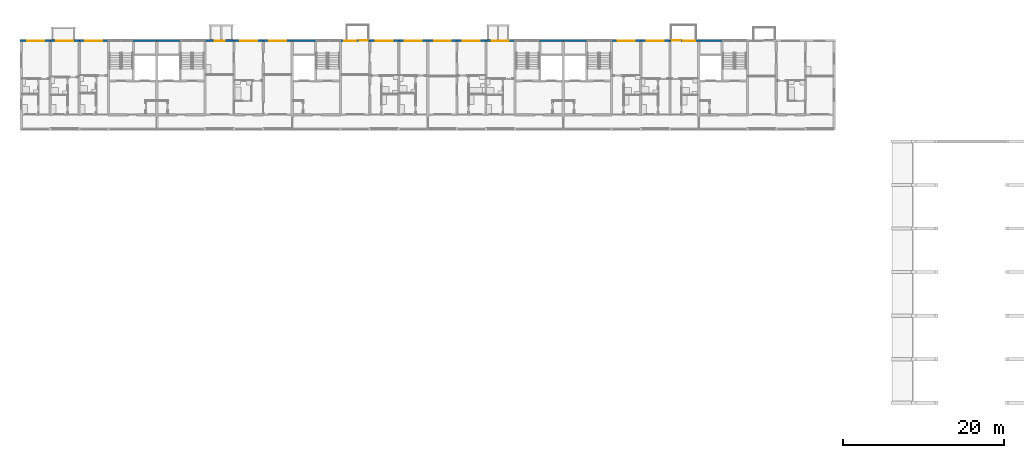
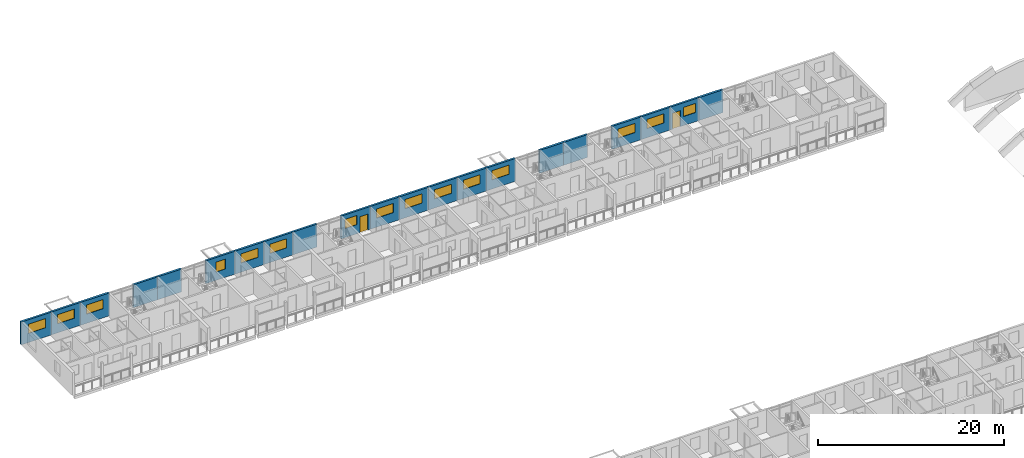
# One storey, part 42 of 99: 21 walls, 15 windows, 2 doors, 17 openings.
"""IFC4 building model written with IfcOpenShell, lengths in metres."""

from ifc_helpers import new_model, si_unit, direction, frame, frame_2d, origin, place, context, subcontext, project, spatial, rectangle, extrude, material, layer, layer_set, type_object, element, fill, save


model = new_model("IFC4")

# Units and contexts
model_context = context("Model", 3, precision=1e-05, world=origin(), true_north=direction((0.0, 1.0)))
body_context = subcontext(model_context, "Body", "Model", "MODEL_VIEW")
ifc_project = project(units=[si_unit("LENGTHUNIT", "METRE"), si_unit("AREAUNIT", "SQUARE_METRE"), si_unit("VOLUMEUNIT", "CUBIC_METRE"), si_unit("PLANEANGLEUNIT", "RADIAN"), si_unit("MASSUNIT", "GRAM", prefix="KILO")], contexts=[model_context])

# Site, building, storey
site_placement = place(None, origin())
site = spatial("IfcSite", under=ifc_project, at=site_placement, CompositionType="ELEMENT")
building_placement = place(site_placement, origin())
building = spatial("IfcBuilding", under=site, at=building_placement, Name="Ridgestep Commons", CompositionType="ELEMENT")
storey_placement = place(building_placement, frame((0.0, 0.0, 15.0)))
storey = spatial("IfcBuildingStorey", under=building, at=storey_placement, Name="L05", CompositionType="ELEMENT", Elevation=15.0)

# Wall, opening, window
ifc_material_1 = material(Name="Precast concrete C40/50", Category="concrete")
ifc_layer = layer(ifc_material_1, 0.25)
ifc_layer_set = layer_set([ifc_layer], Name="North facade panel 250")
wall_type = type_object("IfcWallType", Name="North facade panel 250", PredefinedType="SOLIDWALL", material=ifc_layer_set)
wall_1_placement = place(storey_placement, frame((11.85009765625, 77.125, 0.0), z_axis=(0.0, 0.0, 1.0), x_axis=(1.0, 0.0, 0.0)))
wall_1 = element("IfcWall", 1, at=wall_1_placement, inside=storey, type_object=wall_type, Name="North panel B1T1 L05", PredefinedType="SOLIDWALL", context=body_context, shape_type="SweptSolid", body=[
    extrude(rectangle(XDim=3.75, YDim=0.25, at=frame_2d((1.875, 0.0))), origin(), (0.0, 0.0, 1.0), 3.0),
])
opening_1_placement = place(wall_1_placement, frame((0.925048828125, 0.0, 1.199951171875)))
opening_1 = element("IfcOpeningElement", 2, at=opening_1_placement, cuts=wall_1, Name="Opening W22", PredefinedType="OPENING", context=body_context, shape_type="SweptSolid", body=[
    extrude(rectangle(XDim=2.10009765625, YDim=1.199951171875, at=frame_2d((1.050048828125, 0.60009765625))), frame((0.0, 0.135009765625, 0.0), z_axis=(0.0, -1.0, 0.0), x_axis=(1.0, 0.0, 0.0)), (0.0, 0.0, 1.0), 0.27001953125),
])
ifc_material_2 = material(Name="Aluminium 6063-T6 and glass", Category="aluminium")
window_type_1 = type_object("IfcWindowType", Name="Flat window 2100 x 1200", PartitioningType="DOUBLE_PANEL_VERTICAL", PredefinedType="WINDOW", material=ifc_material_2)
window_1_placement = place(opening_1_placement, origin())
window_1 = element("IfcWindow", 3, at=window_1_placement, inside=storey, type_object=window_type_1, Name="Window B1-05a 2", OverallHeight=1.199951171875, OverallWidth=2.10009765625, PartitioningType="SINGLE_PANEL", PredefinedType="WINDOW", context=body_context, shape_type="SweptSolid", body=[
    extrude(rectangle(XDim=2.10009765625, YDim=1.199951171875, at=frame_2d((1.050048828125, 0.60009765625))), frame((0.0, -0.02490234375, 0.0), z_axis=(0.0, -1.0, 0.0), x_axis=(1.0, 0.0, 0.0)), (0.0, 0.0, 1.0), 0.06005859375),
])
fill(opening_1, window_1)

wall_2_placement = place(storey_placement, frame((15.60009765625, 77.125, 0.0), z_axis=(0.0, 0.0, 1.0), x_axis=(1.0, 0.0, 0.0)))
wall_2 = element("IfcWall", 4, at=wall_2_placement, inside=storey, type_object=wall_type, Name="North panel B1T2 L05", PredefinedType="SOLIDWALL", context=body_context, shape_type="SweptSolid", body=[
    extrude(rectangle(XDim=3.599853515625, YDim=0.25, at=frame_2d((1.7998046875, 0.0))), origin(), (0.0, 0.0, 1.0), 3.0),
])
opening_2_placement = place(wall_2_placement, frame((0.75, 0.0, 1.199951171875)))
opening_2 = element("IfcOpeningElement", 5, at=opening_2_placement, cuts=wall_2, Name="Opening W22", PredefinedType="OPENING", context=body_context, shape_type="SweptSolid", body=[
    extrude(rectangle(XDim=2.10009765625, YDim=1.199951171875, at=frame_2d((1.050048828125, 0.60009765625))), frame((0.0, 0.135009765625, 0.0), z_axis=(0.0, -1.0, 0.0), x_axis=(1.0, 0.0, 0.0)), (0.0, 0.0, 1.0), 0.27001953125),
])
window_2_placement = place(opening_2_placement, origin())
window_2 = element("IfcWindow", 6, at=window_2_placement, inside=storey, type_object=window_type_1, Name="Window B1-05b 2", OverallHeight=1.199951171875, OverallWidth=2.10009765625, PartitioningType="SINGLE_PANEL", PredefinedType="WINDOW", context=body_context, shape_type="SweptSolid", body=[
    extrude(rectangle(XDim=2.10009765625, YDim=1.199951171875, at=frame_2d((1.050048828125, 0.60009765625))), frame((0.0, -0.02490234375, 0.0), z_axis=(0.0, -1.0, 0.0), x_axis=(1.0, 0.0, 0.0)), (0.0, 0.0, 1.0), 0.06005859375),
])
fill(opening_2, window_2)

wall_3_placement = place(storey_placement, frame((19.199951171875, 77.125, 0.0), z_axis=(0.0, 0.0, 1.0), x_axis=(1.0, 0.0, 0.0)))
wall_3 = element("IfcWall", 7, at=wall_3_placement, inside=storey, type_object=wall_type, Name="North panel B1T3 L05", PredefinedType="SOLIDWALL", context=body_context, shape_type="SweptSolid", body=[
    extrude(rectangle(XDim=3.60009765625, YDim=0.25, at=frame_2d((1.800048828125, 0.0))), origin(), (0.0, 0.0, 1.0), 3.0),
])
opening_3_placement = place(wall_3_placement, frame((0.737548828125, 0.0, 1.199951171875)))
opening_3 = element("IfcOpeningElement", 8, at=opening_3_placement, cuts=wall_3, Name="Opening W22", PredefinedType="OPENING", context=body_context, shape_type="SweptSolid", body=[
    extrude(rectangle(XDim=2.10009765625, YDim=1.199951171875, at=frame_2d((1.050048828125, 0.60009765625))), frame((0.0, 0.135009765625, 0.0), z_axis=(0.0, -1.0, 0.0), x_axis=(1.0, 0.0, 0.0)), (0.0, 0.0, 1.0), 0.27001953125),
])
window_3_placement = place(opening_3_placement, origin())
window_3 = element("IfcWindow", 9, at=window_3_placement, inside=storey, type_object=window_type_1, Name="Window B1-05c 2", OverallHeight=1.199951171875, OverallWidth=2.10009765625, PartitioningType="SINGLE_PANEL", PredefinedType="WINDOW", context=body_context, shape_type="SweptSolid", body=[
    extrude(rectangle(XDim=2.10009765625, YDim=1.199951171875, at=frame_2d((1.050048828125, 0.60009765625))), frame((0.0, -0.02490234375, 0.0), z_axis=(0.0, -1.0, 0.0), x_axis=(1.0, 0.0, 0.0)), (0.0, 0.0, 1.0), 0.06005859375),
])
fill(opening_3, window_3)

# Walls
wall_4_placement = place(storey_placement, frame((25.824951171875, 77.125, 0.0), z_axis=(0.0, 0.0, 1.0), x_axis=(1.0, 0.0, 0.0)))
element("IfcWall", 10, at=wall_4_placement, inside=storey, type_object=wall_type, Name="North panel B1C L05", PredefinedType="SOLIDWALL", context=body_context, shape_type="SweptSolid", body=[
    extrude(rectangle(XDim=2.97509765625, YDim=0.25, at=frame_2d((1.487548828125, 0.0))), origin(), (0.0, 0.0, 1.0), 3.0),
])
wall_5_placement = place(storey_placement, frame((28.800048828125, 77.125, 0.0), z_axis=(0.0, 0.0, 1.0), x_axis=(1.0, 0.0, 0.0)))
element("IfcWall", 11, at=wall_5_placement, inside=storey, type_object=wall_type, Name="North panel B2C L05", PredefinedType="SOLIDWALL", context=body_context, shape_type="SweptSolid", body=[
    extrude(rectangle(XDim=2.974853515625, YDim=0.25, at=frame_2d((1.4873046875, 0.0))), origin(), (0.0, 0.0, 1.0), 3.0),
])

# Wall, opening, window
wall_6_placement = place(storey_placement, frame((34.800048828125, 77.125, 0.0), z_axis=(0.0, 0.0, 1.0), x_axis=(1.0, 0.0, 0.0)))
wall_6 = element("IfcWall", 12, at=wall_6_placement, inside=storey, type_object=wall_type, Name="North panel B2T3 L05", PredefinedType="SOLIDWALL", context=body_context, shape_type="SweptSolid", body=[
    extrude(rectangle(XDim=3.599853515625, YDim=0.25, at=frame_2d((1.7998046875, 0.0))), origin(), (0.0, 0.0, 1.0), 3.0),
])
opening_4_placement = place(wall_6_placement, frame((1.21240234375, 0.0, 1.10009765625)))
opening_4 = element("IfcOpeningElement", 13, at=opening_4_placement, cuts=wall_6, Name="Opening W08", PredefinedType="OPENING", context=body_context, shape_type="SweptSolid", body=[
    extrude(rectangle(XDim=1.199951171875, YDim=1.300048828125, at=frame_2d((0.60009765625, 0.64990234375))), frame((0.0, 0.135009765625, 0.0), z_axis=(0.0, -1.0, 0.0), x_axis=(1.0, 0.0, 0.0)), (0.0, 0.0, 1.0), 0.27001953125),
])
ifc_material_3 = material(Name="Aluminium 6063-T6 and glass", Category="aluminium")
window_type_2 = type_object("IfcWindowType", Name="Flat window 1200 x 1300", PartitioningType="SINGLE_PANEL", PredefinedType="WINDOW", material=ifc_material_3)
window_4_placement = place(opening_4_placement, origin())
window_4 = element("IfcWindow", 14, at=window_4_placement, inside=storey, type_object=window_type_2, Name="Window B2-05a 2", OverallHeight=1.300048828125, OverallWidth=1.199951171875, PartitioningType="SINGLE_PANEL", PredefinedType="WINDOW", context=body_context, shape_type="SweptSolid", body=[
    extrude(rectangle(XDim=1.199951171875, YDim=1.300048828125, at=frame_2d((0.60009765625, 0.64990234375))), frame((0.0, -0.02490234375, 0.0), z_axis=(0.0, -1.0, 0.0), x_axis=(1.0, 0.0, 0.0)), (0.0, 0.0, 1.0), 0.06005859375),
])
fill(opening_4, window_4)

wall_7_placement = place(storey_placement, frame((38.39990234375, 77.125, 0.0), z_axis=(0.0, 0.0, 1.0), x_axis=(1.0, 0.0, 0.0)))
wall_7 = element("IfcWall", 15, at=wall_7_placement, inside=storey, type_object=wall_type, Name="North panel B2T2 L05", PredefinedType="SOLIDWALL", context=body_context, shape_type="SweptSolid", body=[
    extrude(rectangle(XDim=3.60009765625, YDim=0.25, at=frame_2d((1.800048828125, 0.0))), origin(), (0.0, 0.0, 1.0), 3.0),
])
opening_5_placement = place(wall_7_placement, frame((0.75, 0.0, 1.199951171875)))
opening_5 = element("IfcOpeningElement", 16, at=opening_5_placement, cuts=wall_7, Name="Opening W22", PredefinedType="OPENING", context=body_context, shape_type="SweptSolid", body=[
    extrude(rectangle(XDim=2.10009765625, YDim=1.199951171875, at=frame_2d((1.050048828125, 0.60009765625))), frame((0.0, 0.135009765625, 0.0), z_axis=(0.0, -1.0, 0.0), x_axis=(1.0, 0.0, 0.0)), (0.0, 0.0, 1.0), 0.27001953125),
])
window_5_placement = place(opening_5_placement, origin())
window_5 = element("IfcWindow", 17, at=window_5_placement, inside=storey, type_object=window_type_1, Name="Window B2-05a 5", OverallHeight=1.199951171875, OverallWidth=2.10009765625, PartitioningType="SINGLE_PANEL", PredefinedType="WINDOW", context=body_context, shape_type="SweptSolid", body=[
    extrude(rectangle(XDim=2.10009765625, YDim=1.199951171875, at=frame_2d((1.050048828125, 0.60009765625))), frame((0.0, -0.02490234375, 0.0), z_axis=(0.0, -1.0, 0.0), x_axis=(1.0, 0.0, 0.0)), (0.0, 0.0, 1.0), 0.06005859375),
])
fill(opening_5, window_5)

wall_8_placement = place(storey_placement, frame((42.0, 77.125, 0.0), z_axis=(0.0, 0.0, 1.0), x_axis=(1.0, 0.0, 0.0)))
wall_8 = element("IfcWall", 18, at=wall_8_placement, inside=storey, type_object=wall_type, Name="North panel B2T1 L05", PredefinedType="SOLIDWALL", context=body_context, shape_type="SweptSolid", body=[
    extrude(rectangle(XDim=3.60009765625, YDim=0.25, at=frame_2d((1.800048828125, 0.0))), origin(), (0.0, 0.0, 1.0), 3.0),
])
opening_6_placement = place(wall_8_placement, frame((0.72509765625, 0.0, 1.199951171875)))
opening_6 = element("IfcOpeningElement", 19, at=opening_6_placement, cuts=wall_8, Name="Opening W22", PredefinedType="OPENING", context=body_context, shape_type="SweptSolid", body=[
    extrude(rectangle(XDim=2.10009765625, YDim=1.199951171875, at=frame_2d((1.050048828125, 0.60009765625))), frame((0.0, 0.135009765625, 0.0), z_axis=(0.0, -1.0, 0.0), x_axis=(1.0, 0.0, 0.0)), (0.0, 0.0, 1.0), 0.27001953125),
])
window_6_placement = place(opening_6_placement, origin())
window_6 = element("IfcWindow", 20, at=window_6_placement, inside=storey, type_object=window_type_1, Name="Window B2-05a 4", OverallHeight=1.199951171875, OverallWidth=2.10009765625, PartitioningType="SINGLE_PANEL", PredefinedType="WINDOW", context=body_context, shape_type="SweptSolid", body=[
    extrude(rectangle(XDim=2.10009765625, YDim=1.199951171875, at=frame_2d((1.050048828125, 0.60009765625))), frame((0.0, -0.02490234375, 0.0), z_axis=(0.0, -1.0, 0.0), x_axis=(1.0, 0.0, 0.0)), (0.0, 0.0, 1.0), 0.06005859375),
])
fill(opening_6, window_6)

# Wall
wall_9_placement = place(storey_placement, frame((45.60009765625, 77.125, 0.0), z_axis=(0.0, 0.0, 1.0), x_axis=(1.0, 0.0, 0.0)))
element("IfcWall", 21, at=wall_9_placement, inside=storey, type_object=wall_type, Name="North panel B3C L05", PredefinedType="SOLIDWALL", context=body_context, shape_type="SweptSolid", body=[
    extrude(rectangle(XDim=2.974853515625, YDim=0.25, at=frame_2d((1.4873046875, 0.0))), origin(), (0.0, 0.0, 1.0), 3.0),
])

# Wall, openings, door, window
wall_10_placement = place(storey_placement, frame((51.60009765625, 77.125, 0.0), z_axis=(0.0, 0.0, 1.0), x_axis=(1.0, 0.0, 0.0)))
wall_10 = element("IfcWall", 22, at=wall_10_placement, inside=storey, type_object=wall_type, Name="North panel B3T3 L05", PredefinedType="SOLIDWALL", context=body_context, shape_type="SweptSolid", body=[
    extrude(rectangle(XDim=3.599853515625, YDim=0.25, at=frame_2d((1.7998046875, 0.0))), origin(), (0.0, 0.0, 1.0), 3.0),
])
opening_7_placement = place(wall_10_placement, frame((0.431396484375, 0.0, 1.199951171875)))
opening_7 = element("IfcOpeningElement", 23, at=opening_7_placement, cuts=wall_10, Name="Opening W13", PredefinedType="OPENING", context=body_context, shape_type="SweptSolid", body=[
    extrude(rectangle(XDim=1.5, YDim=1.199951171875, at=frame_2d((0.75, 0.60009765625))), frame((0.0, 0.135009765625, 0.0), z_axis=(0.0, -1.0, 0.0), x_axis=(1.0, 0.0, 0.0)), (0.0, 0.0, 1.0), 0.27001953125),
])
opening_8_placement = place(wall_10_placement, frame((2.337890625, 0.0, 0.0)))
opening_8 = element("IfcOpeningElement", 24, at=opening_8_placement, cuts=wall_10, Name="Opening B3-05b/7", PredefinedType="OPENING", context=body_context, shape_type="SweptSolid", body=[
    extrude(rectangle(XDim=1.0, YDim=2.10009765625, at=frame_2d((0.5, 1.050048828125))), frame((0.0, 0.135009765625, 0.0), z_axis=(0.0, -1.0, 0.0), x_axis=(1.0, 0.0, 0.0)), (0.0, 0.0, 1.0), 0.27001953125),
])
ifc_material_4 = material(Name="Aluminium and glass", Category="aluminium")
door_type = type_object("IfcDoorType", Name="Balcony door 1000 x 2100", OperationType="NOTDEFINED", PredefinedType="DOOR", material=ifc_material_4)
door_1_placement = place(opening_8_placement, origin())
door_1 = element("IfcDoor", 25, at=door_1_placement, inside=storey, type_object=door_type, Name="Balcony door B3-05b/7", OperationType="SINGLE_SWING_LEFT", OverallHeight=2.10009765625, OverallWidth=1.0, PredefinedType="DOOR", context=body_context, shape_type="SweptSolid", body=[
    extrude(rectangle(XDim=1.0, YDim=2.10009765625, at=frame_2d((0.5, 1.050048828125))), frame((0.0, 0.02490234375, 0.0), z_axis=(0.0, -1.0, 0.0), x_axis=(1.0, 0.0, 0.0)), (0.0, 0.0, 1.0), 0.050048828125),
])
fill(opening_8, door_1)
ifc_material_5 = material(Name="Aluminium 6063-T6 and glass", Category="aluminium")
window_type_3 = type_object("IfcWindowType", Name="Flat window 1500 x 1200", PartitioningType="DOUBLE_PANEL_VERTICAL", PredefinedType="WINDOW", material=ifc_material_5)
window_7_placement = place(opening_7_placement, origin())
window_7 = element("IfcWindow", 26, at=window_7_placement, inside=storey, type_object=window_type_3, Name="Window B3-05b 2", OverallHeight=1.199951171875, OverallWidth=1.5, PartitioningType="SINGLE_PANEL", PredefinedType="WINDOW", context=body_context, shape_type="SweptSolid", body=[
    extrude(rectangle(XDim=1.5, YDim=1.199951171875, at=frame_2d((0.75, 0.60009765625))), frame((0.0, -0.02490234375, 0.0), z_axis=(0.0, -1.0, 0.0), x_axis=(1.0, 0.0, 0.0)), (0.0, 0.0, 1.0), 0.06005859375),
])
fill(opening_7, window_7)

# Wall, opening, window
wall_11_placement = place(storey_placement, frame((55.199951171875, 77.125, 0.0), z_axis=(0.0, 0.0, 1.0), x_axis=(1.0, 0.0, 0.0)))
wall_11 = element("IfcWall", 27, at=wall_11_placement, inside=storey, type_object=wall_type, Name="North panel B3T2 L05", PredefinedType="SOLIDWALL", context=body_context, shape_type="SweptSolid", body=[
    extrude(rectangle(XDim=3.60009765625, YDim=0.25, at=frame_2d((1.800048828125, 0.0))), origin(), (0.0, 0.0, 1.0), 3.0),
])
opening_9_placement = place(wall_11_placement, frame((0.75, 0.0, 1.199951171875)))
opening_9 = element("IfcOpeningElement", 28, at=opening_9_placement, cuts=wall_11, Name="Opening W22", PredefinedType="OPENING", context=body_context, shape_type="SweptSolid", body=[
    extrude(rectangle(XDim=2.10009765625, YDim=1.199951171875, at=frame_2d((1.050048828125, 0.60009765625))), frame((0.0, 0.135009765625, 0.0), z_axis=(0.0, -1.0, 0.0), x_axis=(1.0, 0.0, 0.0)), (0.0, 0.0, 1.0), 0.27001953125),
])
window_8_placement = place(opening_9_placement, origin())
window_8 = element("IfcWindow", 29, at=window_8_placement, inside=storey, type_object=window_type_1, Name="Window B3-05b 4", OverallHeight=1.199951171875, OverallWidth=2.10009765625, PartitioningType="SINGLE_PANEL", PredefinedType="WINDOW", context=body_context, shape_type="SweptSolid", body=[
    extrude(rectangle(XDim=2.10009765625, YDim=1.199951171875, at=frame_2d((1.050048828125, 0.60009765625))), frame((0.0, -0.02490234375, 0.0), z_axis=(0.0, -1.0, 0.0), x_axis=(1.0, 0.0, 0.0)), (0.0, 0.0, 1.0), 0.06005859375),
])
fill(opening_9, window_8)

wall_12_placement = place(storey_placement, frame((58.800048828125, 77.125, 0.0), z_axis=(0.0, 0.0, 1.0), x_axis=(1.0, 0.0, 0.0)))
wall_12 = element("IfcWall", 30, at=wall_12_placement, inside=storey, type_object=wall_type, Name="North panel B3T1 L05", PredefinedType="SOLIDWALL", context=body_context, shape_type="SweptSolid", body=[
    extrude(rectangle(XDim=3.599853515625, YDim=0.25, at=frame_2d((1.7998046875, 0.0))), origin(), (0.0, 0.0, 1.0), 3.0),
])
opening_10_placement = place(wall_12_placement, frame((0.72509765625, 0.0, 1.199951171875)))
opening_10 = element("IfcOpeningElement", 31, at=opening_10_placement, cuts=wall_12, Name="Opening W22", PredefinedType="OPENING", context=body_context, shape_type="SweptSolid", body=[
    extrude(rectangle(XDim=2.10009765625, YDim=1.199951171875, at=frame_2d((1.050048828125, 0.60009765625))), frame((0.0, 0.135009765625, 0.0), z_axis=(0.0, -1.0, 0.0), x_axis=(1.0, 0.0, 0.0)), (0.0, 0.0, 1.0), 0.27001953125),
])
window_9_placement = place(opening_10_placement, origin())
window_9 = element("IfcWindow", 32, at=window_9_placement, inside=storey, type_object=window_type_1, Name="Window B3-05a 2", OverallHeight=1.199951171875, OverallWidth=2.10009765625, PartitioningType="SINGLE_PANEL", PredefinedType="WINDOW", context=body_context, shape_type="SweptSolid", body=[
    extrude(rectangle(XDim=2.10009765625, YDim=1.199951171875, at=frame_2d((1.050048828125, 0.60009765625))), frame((0.0, -0.02490234375, 0.0), z_axis=(0.0, -1.0, 0.0), x_axis=(1.0, 0.0, 0.0)), (0.0, 0.0, 1.0), 0.06005859375),
])
fill(opening_10, window_9)

wall_13_placement = place(storey_placement, frame((62.39990234375, 77.125, 0.0), z_axis=(0.0, 0.0, 1.0), x_axis=(1.0, 0.0, 0.0)))
wall_13 = element("IfcWall", 33, at=wall_13_placement, inside=storey, type_object=wall_type, Name="North panel B4T1 L05", PredefinedType="SOLIDWALL", context=body_context, shape_type="SweptSolid", body=[
    extrude(rectangle(XDim=3.60009765625, YDim=0.25, at=frame_2d((1.800048828125, 0.0))), origin(), (0.0, 0.0, 1.0), 3.0),
])
opening_11_placement = place(wall_13_placement, frame((0.77490234375, 0.0, 1.199951171875)))
opening_11 = element("IfcOpeningElement", 34, at=opening_11_placement, cuts=wall_13, Name="Opening W22", PredefinedType="OPENING", context=body_context, shape_type="SweptSolid", body=[
    extrude(rectangle(XDim=2.10009765625, YDim=1.199951171875, at=frame_2d((1.050048828125, 0.60009765625))), frame((0.0, 0.135009765625, 0.0), z_axis=(0.0, -1.0, 0.0), x_axis=(1.0, 0.0, 0.0)), (0.0, 0.0, 1.0), 0.27001953125),
])
window_10_placement = place(opening_11_placement, origin())
window_10 = element("IfcWindow", 35, at=window_10_placement, inside=storey, type_object=window_type_1, Name="Window B4-05a 2", OverallHeight=1.199951171875, OverallWidth=2.10009765625, PartitioningType="SINGLE_PANEL", PredefinedType="WINDOW", context=body_context, shape_type="SweptSolid", body=[
    extrude(rectangle(XDim=2.10009765625, YDim=1.199951171875, at=frame_2d((1.050048828125, 0.60009765625))), frame((0.0, -0.02490234375, 0.0), z_axis=(0.0, -1.0, 0.0), x_axis=(1.0, 0.0, 0.0)), (0.0, 0.0, 1.0), 0.06005859375),
])
fill(opening_11, window_10)

wall_14_placement = place(storey_placement, frame((66.0, 77.125, 0.0), z_axis=(0.0, 0.0, 1.0), x_axis=(1.0, 0.0, 0.0)))
wall_14 = element("IfcWall", 36, at=wall_14_placement, inside=storey, type_object=wall_type, Name="North panel B4T2 L05", PredefinedType="SOLIDWALL", context=body_context, shape_type="SweptSolid", body=[
    extrude(rectangle(XDim=3.60009765625, YDim=0.25, at=frame_2d((1.800048828125, 0.0))), origin(), (0.0, 0.0, 1.0), 3.0),
])
opening_12_placement = place(wall_14_placement, frame((0.75, 0.0, 1.199951171875)))
opening_12 = element("IfcOpeningElement", 37, at=opening_12_placement, cuts=wall_14, Name="Opening W22", PredefinedType="OPENING", context=body_context, shape_type="SweptSolid", body=[
    extrude(rectangle(XDim=2.10009765625, YDim=1.199951171875, at=frame_2d((1.050048828125, 0.60009765625))), frame((0.0, 0.135009765625, 0.0), z_axis=(0.0, -1.0, 0.0), x_axis=(1.0, 0.0, 0.0)), (0.0, 0.0, 1.0), 0.27001953125),
])
window_11_placement = place(opening_12_placement, origin())
window_11 = element("IfcWindow", 38, at=window_11_placement, inside=storey, type_object=window_type_1, Name="Window B4-05a 4", OverallHeight=1.199951171875, OverallWidth=2.10009765625, PartitioningType="SINGLE_PANEL", PredefinedType="WINDOW", context=body_context, shape_type="SweptSolid", body=[
    extrude(rectangle(XDim=2.10009765625, YDim=1.199951171875, at=frame_2d((1.050048828125, 0.60009765625))), frame((0.0, -0.02490234375, 0.0), z_axis=(0.0, -1.0, 0.0), x_axis=(1.0, 0.0, 0.0)), (0.0, 0.0, 1.0), 0.06005859375),
])
fill(opening_12, window_11)

wall_15_placement = place(storey_placement, frame((69.60009765625, 77.125, 0.0), z_axis=(0.0, 0.0, 1.0), x_axis=(1.0, 0.0, 0.0)))
wall_15 = element("IfcWall", 39, at=wall_15_placement, inside=storey, type_object=wall_type, Name="North panel B4T3 L05", PredefinedType="SOLIDWALL", context=body_context, shape_type="SweptSolid", body=[
    extrude(rectangle(XDim=3.599853515625, YDim=0.25, at=frame_2d((1.7998046875, 0.0))), origin(), (0.0, 0.0, 1.0), 3.0),
])
opening_13_placement = place(wall_15_placement, frame((0.737548828125, 0.0, 1.199951171875)))
opening_13 = element("IfcOpeningElement", 40, at=opening_13_placement, cuts=wall_15, Name="Opening W22", PredefinedType="OPENING", context=body_context, shape_type="SweptSolid", body=[
    extrude(rectangle(XDim=2.10009765625, YDim=1.199951171875, at=frame_2d((1.050048828125, 0.60009765625))), frame((0.0, 0.135009765625, 0.0), z_axis=(0.0, -1.0, 0.0), x_axis=(1.0, 0.0, 0.0)), (0.0, 0.0, 1.0), 0.27001953125),
])
window_12_placement = place(opening_13_placement, origin())
window_12 = element("IfcWindow", 41, at=window_12_placement, inside=storey, type_object=window_type_1, Name="Window B4-05b 2", OverallHeight=1.199951171875, OverallWidth=2.10009765625, PartitioningType="SINGLE_PANEL", PredefinedType="WINDOW", context=body_context, shape_type="SweptSolid", body=[
    extrude(rectangle(XDim=2.10009765625, YDim=1.199951171875, at=frame_2d((1.050048828125, 0.60009765625))), frame((0.0, -0.02490234375, 0.0), z_axis=(0.0, -1.0, 0.0), x_axis=(1.0, 0.0, 0.0)), (0.0, 0.0, 1.0), 0.06005859375),
])
fill(opening_13, window_12)

# Walls
wall_16_placement = place(storey_placement, frame((76.22509765625, 77.125, 0.0), z_axis=(0.0, 0.0, 1.0), x_axis=(1.0, 0.0, 0.0)))
element("IfcWall", 42, at=wall_16_placement, inside=storey, type_object=wall_type, Name="North panel B4C L05", PredefinedType="SOLIDWALL", context=body_context, shape_type="SweptSolid", body=[
    extrude(rectangle(XDim=2.974853515625, YDim=0.25, at=frame_2d((1.4873046875, 0.0))), origin(), (0.0, 0.0, 1.0), 3.0),
])
wall_17_placement = place(storey_placement, frame((79.199951171875, 77.125, 0.0), z_axis=(0.0, 0.0, 1.0), x_axis=(1.0, 0.0, 0.0)))
element("IfcWall", 43, at=wall_17_placement, inside=storey, type_object=wall_type, Name="North panel B5C L05", PredefinedType="SOLIDWALL", context=body_context, shape_type="SweptSolid", body=[
    extrude(rectangle(XDim=2.97509765625, YDim=0.25, at=frame_2d((1.487548828125, 0.0))), origin(), (0.0, 0.0, 1.0), 3.0),
])

# Wall, opening, window
wall_18_placement = place(storey_placement, frame((85.199951171875, 77.125, 0.0), z_axis=(0.0, 0.0, 1.0), x_axis=(1.0, 0.0, 0.0)))
wall_18 = element("IfcWall", 44, at=wall_18_placement, inside=storey, type_object=wall_type, Name="North panel B5T3 L05", PredefinedType="SOLIDWALL", context=body_context, shape_type="SweptSolid", body=[
    extrude(rectangle(XDim=3.60009765625, YDim=0.25, at=frame_2d((1.800048828125, 0.0))), origin(), (0.0, 0.0, 1.0), 3.0),
])
opening_14_placement = place(wall_18_placement, frame((0.762451171875, 0.0, 1.199951171875)))
opening_14 = element("IfcOpeningElement", 45, at=opening_14_placement, cuts=wall_18, Name="Opening W22", PredefinedType="OPENING", context=body_context, shape_type="SweptSolid", body=[
    extrude(rectangle(XDim=2.10009765625, YDim=1.199951171875, at=frame_2d((1.050048828125, 0.60009765625))), frame((0.0, 0.135009765625, 0.0), z_axis=(0.0, -1.0, 0.0), x_axis=(1.0, 0.0, 0.0)), (0.0, 0.0, 1.0), 0.27001953125),
])
window_13_placement = place(opening_14_placement, origin())
window_13 = element("IfcWindow", 46, at=window_13_placement, inside=storey, type_object=window_type_1, Name="Window B5-05c 2", OverallHeight=1.199951171875, OverallWidth=2.10009765625, PartitioningType="SINGLE_PANEL", PredefinedType="WINDOW", context=body_context, shape_type="SweptSolid", body=[
    extrude(rectangle(XDim=2.10009765625, YDim=1.199951171875, at=frame_2d((1.050048828125, 0.60009765625))), frame((0.0, -0.02490234375, 0.0), z_axis=(0.0, -1.0, 0.0), x_axis=(1.0, 0.0, 0.0)), (0.0, 0.0, 1.0), 0.06005859375),
])
fill(opening_14, window_13)

wall_19_placement = place(storey_placement, frame((88.800048828125, 77.125, 0.0), z_axis=(0.0, 0.0, 1.0), x_axis=(1.0, 0.0, 0.0)))
wall_19 = element("IfcWall", 47, at=wall_19_placement, inside=storey, type_object=wall_type, Name="North panel B5T2 L05", PredefinedType="SOLIDWALL", context=body_context, shape_type="SweptSolid", body=[
    extrude(rectangle(XDim=3.599853515625, YDim=0.25, at=frame_2d((1.7998046875, 0.0))), origin(), (0.0, 0.0, 1.0), 3.0),
])
opening_15_placement = place(wall_19_placement, frame((0.75, 0.0, 1.199951171875)))
opening_15 = element("IfcOpeningElement", 48, at=opening_15_placement, cuts=wall_19, Name="Opening W22", PredefinedType="OPENING", context=body_context, shape_type="SweptSolid", body=[
    extrude(rectangle(XDim=2.10009765625, YDim=1.199951171875, at=frame_2d((1.050048828125, 0.60009765625))), frame((0.0, 0.135009765625, 0.0), z_axis=(0.0, -1.0, 0.0), x_axis=(1.0, 0.0, 0.0)), (0.0, 0.0, 1.0), 0.27001953125),
])
window_14_placement = place(opening_15_placement, origin())
window_14 = element("IfcWindow", 49, at=window_14_placement, inside=storey, type_object=window_type_1, Name="Window B5-05b 2", OverallHeight=1.199951171875, OverallWidth=2.10009765625, PartitioningType="SINGLE_PANEL", PredefinedType="WINDOW", context=body_context, shape_type="SweptSolid", body=[
    extrude(rectangle(XDim=2.10009765625, YDim=1.199951171875, at=frame_2d((1.050048828125, 0.60009765625))), frame((0.0, -0.02490234375, 0.0), z_axis=(0.0, -1.0, 0.0), x_axis=(1.0, 0.0, 0.0)), (0.0, 0.0, 1.0), 0.06005859375),
])
fill(opening_15, window_14)

# Wall, openings, door, window
wall_20_placement = place(storey_placement, frame((92.39990234375, 77.125, 0.0), z_axis=(0.0, 0.0, 1.0), x_axis=(1.0, 0.0, 0.0)))
wall_20 = element("IfcWall", 50, at=wall_20_placement, inside=storey, type_object=wall_type, Name="North panel B5T1 L05", PredefinedType="SOLIDWALL", context=body_context, shape_type="SweptSolid", body=[
    extrude(rectangle(XDim=3.60009765625, YDim=0.25, at=frame_2d((1.800048828125, 0.0))), origin(), (0.0, 0.0, 1.0), 3.0),
])
opening_16_placement = place(wall_20_placement, frame((1.679443359375, 0.0, 1.199951171875)))
opening_16 = element("IfcOpeningElement", 51, at=opening_16_placement, cuts=wall_20, Name="Opening W13", PredefinedType="OPENING", context=body_context, shape_type="SweptSolid", body=[
    extrude(rectangle(XDim=1.5, YDim=1.199951171875, at=frame_2d((0.75, 0.60009765625))), frame((0.0, 0.135009765625, 0.0), z_axis=(0.0, -1.0, 0.0), x_axis=(1.0, 0.0, 0.0)), (0.0, 0.0, 1.0), 0.27001953125),
])
opening_17_placement = place(wall_20_placement, frame((0.30908203125, 0.0, 0.0)))
opening_17 = element("IfcOpeningElement", 52, at=opening_17_placement, cuts=wall_20, Name="Opening B5-05a/5", PredefinedType="OPENING", context=body_context, shape_type="SweptSolid", body=[
    extrude(rectangle(XDim=1.0, YDim=2.10009765625, at=frame_2d((0.5, 1.050048828125))), frame((0.0, 0.135009765625, 0.0), z_axis=(0.0, -1.0, 0.0), x_axis=(1.0, 0.0, 0.0)), (0.0, 0.0, 1.0), 0.27001953125),
])
door_2_placement = place(opening_17_placement, origin())
door_2 = element("IfcDoor", 53, at=door_2_placement, inside=storey, type_object=door_type, Name="Balcony door B5-05a/5", OperationType="SINGLE_SWING_RIGHT", OverallHeight=2.10009765625, OverallWidth=1.0, PredefinedType="DOOR", context=body_context, shape_type="SweptSolid", body=[
    extrude(rectangle(XDim=1.0, YDim=2.10009765625, at=frame_2d((0.5, 1.050048828125))), frame((0.0, 0.02490234375, 0.0), z_axis=(0.0, -1.0, 0.0), x_axis=(1.0, 0.0, 0.0)), (0.0, 0.0, 1.0), 0.050048828125),
])
fill(opening_17, door_2)
window_15_placement = place(opening_16_placement, origin())
window_15 = element("IfcWindow", 54, at=window_15_placement, inside=storey, type_object=window_type_3, Name="Window B5-05a 2", OverallHeight=1.199951171875, OverallWidth=1.5, PartitioningType="SINGLE_PANEL", PredefinedType="WINDOW", context=body_context, shape_type="SweptSolid", body=[
    extrude(rectangle(XDim=1.5, YDim=1.199951171875, at=frame_2d((0.75, 0.60009765625))), frame((0.0, -0.02490234375, 0.0), z_axis=(0.0, -1.0, 0.0), x_axis=(1.0, 0.0, 0.0)), (0.0, 0.0, 1.0), 0.06005859375),
])
fill(opening_16, window_15)

# Wall
wall_21_placement = place(storey_placement, frame((96.0, 77.125, 0.0), z_axis=(0.0, 0.0, 1.0), x_axis=(1.0, 0.0, 0.0)))
element("IfcWall", 55, at=wall_21_placement, inside=storey, type_object=wall_type, Name="North panel B6C L05", PredefinedType="SOLIDWALL", context=body_context, shape_type="SweptSolid", body=[
    extrude(rectangle(XDim=2.97509765625, YDim=0.25, at=frame_2d((1.487548828125, 0.0))), origin(), (0.0, 0.0, 1.0), 3.0),
])

save(model, "model.ifc")
